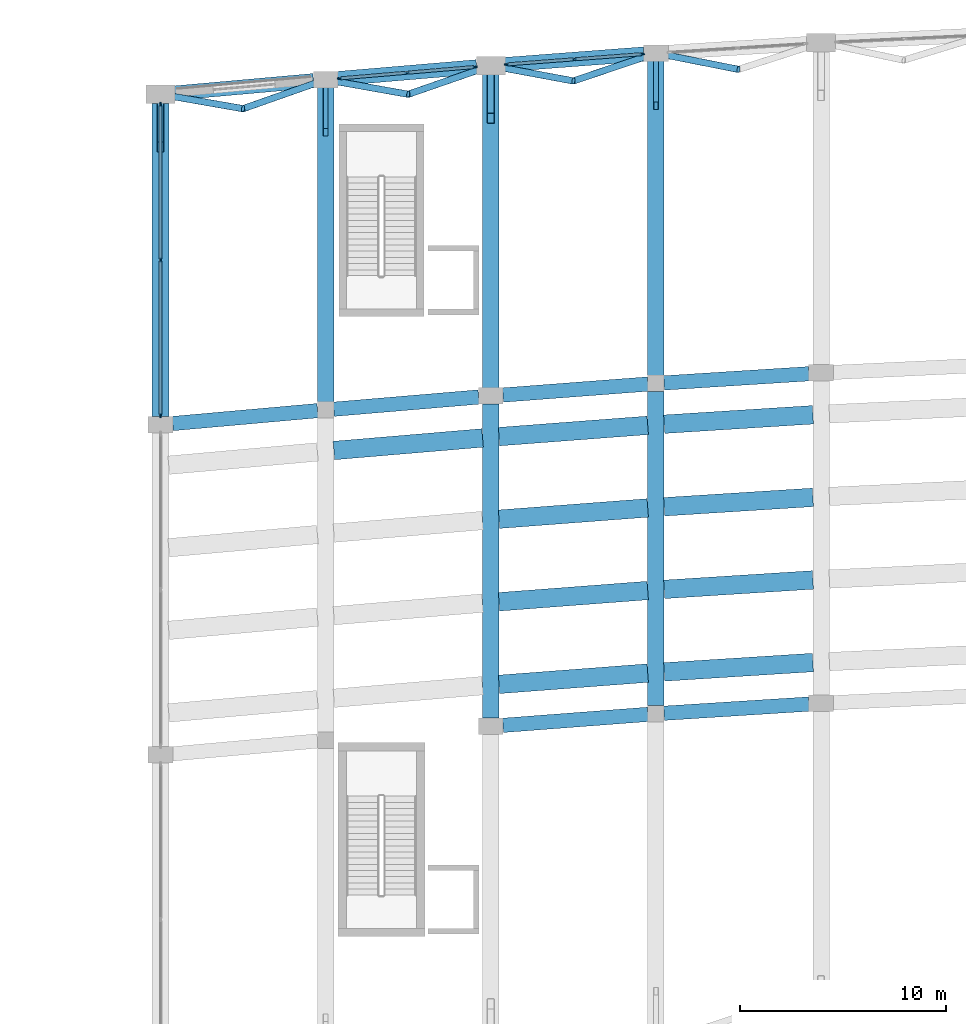
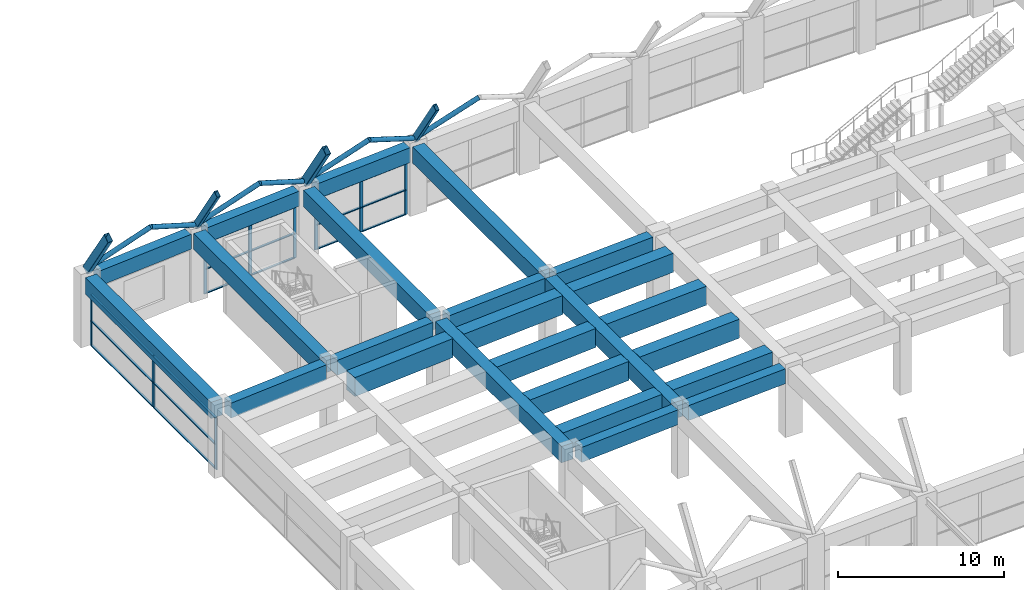
# One storey, part 22 of 69: 34 members, 28 beams, 3 elements without a shape of their own.
"""IFC4 building model written with IfcOpenShell, lengths in metres."""

from ifc_helpers import new_model, si_unit, direction, frame, origin, origin_2d, place, context, subcontext, project, spatial, rectangle, hollow_rectangle, hollow_circle, extrude, material, material_profile, profile_set, type_object, element, aggregate, save


model = new_model("IFC4")

# Units and contexts
model_context = context("Model", 3, precision=1e-05, world=origin(), true_north=direction((0.0, 1.0)))
body_context = subcontext(model_context, "Body", "Model", "MODEL_VIEW")
ifc_project = project(units=[si_unit("LENGTHUNIT", "METRE"), si_unit("AREAUNIT", "SQUARE_METRE"), si_unit("VOLUMEUNIT", "CUBIC_METRE"), si_unit("PLANEANGLEUNIT", "RADIAN"), si_unit("MASSUNIT", "GRAM", prefix="KILO")], contexts=[model_context])

# Site, building, storey
site_placement = place(None, origin())
site = spatial("IfcSite", under=ifc_project, at=site_placement, CompositionType="ELEMENT")
building_placement = place(site_placement, origin())
building = spatial("IfcBuilding", under=site, at=building_placement, Name="Kenh Van Central Station", CompositionType="ELEMENT")
storey_placement = place(building_placement, frame((0.0, 0.0, 5.39990234375)))
storey = spatial("IfcBuildingStorey", under=building, at=storey_placement, Name="L01", CompositionType="ELEMENT", Elevation=5.39990234375)

# Beams
ifc_material_1 = material(Name="Concrete C40/50", Category="concrete")
ifc_material_profile_1 = material_profile(ifc_material_1, rectangle(XDim=0.699951171875, YDim=1.10009765625, at=origin_2d()), Name="RC 700x1100")
ifc_profile_set_1 = profile_set([ifc_material_profile_1], Name="Concrete C40/50")
beam_type_1 = type_object("IfcBeamType", Name="BM-RC-700x1100", PredefinedType="BEAM", material=ifc_profile_set_1)
beam_1_placement = place(storey_placement, frame((48.58837890625, 81.43310546875, 4.530029296875), z_axis=(0.997135285012, 0.075638769056, 0.0), x_axis=(-0.075638769056, 0.997135285012, 0.0)))
element("IfcBeam", 1, at=beam_1_placement, inside=storey, type_object=beam_type_1, Name="L01 viaduct girder 1396", PredefinedType="BEAM", context=body_context, shape_type="SweptSolid", body=[
    extrude(rectangle(XDim=0.699951171875, YDim=1.10009765625, at=origin_2d()), origin(), (0.0, 0.0, 1.0), 7.04296875),
])
beam_2_placement = place(storey_placement, frame((56.38916015625, 82.019775390625, 4.530029296875), z_axis=(0.997999567519, 0.063220750018, 0.0), x_axis=(-0.063220750018, 0.997999567519, 0.0)))
element("IfcBeam", 2, at=beam_2_placement, inside=storey, type_object=beam_type_1, Name="L01 viaduct girder 1397", PredefinedType="BEAM", context=body_context, shape_type="SweptSolid", body=[
    extrude(rectangle(XDim=0.699951171875, YDim=1.10009765625, at=origin_2d()), origin(), (0.0, 0.0, 1.0), 7.0361328125),
])
beam_3_placement = place(storey_placement, frame((32.587646484375, 96.05224609375, 4.530029296875), z_axis=(0.996061437134, 0.088665740024, 0.0), x_axis=(-0.088665740024, 0.996061437134, 0.0)))
element("IfcBeam", 3, at=beam_3_placement, inside=storey, type_object=beam_type_1, Name="L01 viaduct girder 1408", PredefinedType="BEAM", context=body_context, shape_type="SweptSolid", body=[
    extrude(rectangle(XDim=0.699951171875, YDim=1.10009765625, at=origin_2d()), origin(), (0.0, 0.0, 1.0), 7.0517578125),
])
beam_4_placement = place(storey_placement, frame((40.388671875, 96.744873046875, 4.530029296875), z_axis=(0.996445671576, 0.084237898821, 0.0), x_axis=(-0.084237898821, 0.996445671576, 0.0)))
element("IfcBeam", 4, at=beam_4_placement, inside=storey, type_object=beam_type_1, Name="L01 viaduct girder 1409", PredefinedType="BEAM", context=body_context, shape_type="SweptSolid", body=[
    extrude(rectangle(XDim=0.699951171875, YDim=1.10009765625, at=origin_2d()), origin(), (0.0, 0.0, 1.0), 7.048583984375),
])
beam_5_placement = place(storey_placement, frame((48.58837890625, 97.43310546875, 4.530029296875), z_axis=(0.997135285012, 0.075638769056, 0.0), x_axis=(-0.075638769056, 0.997135285012, 0.0)))
element("IfcBeam", 5, at=beam_5_placement, inside=storey, type_object=beam_type_1, Name="L01 viaduct girder 1410", PredefinedType="BEAM", context=body_context, shape_type="SweptSolid", body=[
    extrude(rectangle(XDim=0.699951171875, YDim=1.10009765625, at=origin_2d()), origin(), (0.0, 0.0, 1.0), 7.04296875),
])
beam_6_placement = place(storey_placement, frame((56.38916015625, 98.019775390625, 4.530029296875), z_axis=(0.997999567519, 0.063220750018, 0.0), x_axis=(-0.063220750018, 0.997999567519, 0.0)))
element("IfcBeam", 6, at=beam_6_placement, inside=storey, type_object=beam_type_1, Name="L01 viaduct girder 1411", PredefinedType="BEAM", context=body_context, shape_type="SweptSolid", body=[
    extrude(rectangle(XDim=0.699951171875, YDim=1.10009765625, at=origin_2d()), origin(), (0.0, 0.0, 1.0), 7.0361328125),
])
beam_7_placement = place(storey_placement, frame((32.687255859375, 112.061279296875, 4.530029296875), z_axis=(0.996064770489, 0.088628285503, 0.0), x_axis=(-0.088628285503, 0.996064770489, 0.0)))
element("IfcBeam", 7, at=beam_7_placement, inside=storey, type_object=beam_type_1, Name="L01 viaduct girder 1422", PredefinedType="BEAM", context=body_context, shape_type="SweptSolid", body=[
    extrude(rectangle(XDim=0.699951171875, YDim=1.10009765625, at=origin_2d()), origin(), (0.0, 0.0, 1.0), 6.751708984375),
])
beam_8_placement = place(storey_placement, frame((40.587890625, 112.76171875, 4.530029296875), z_axis=(0.996444229131, 0.084254959688, 0.0), x_axis=(-0.084254959688, 0.996444229131, 0.0)))
element("IfcBeam", 8, at=beam_8_placement, inside=storey, type_object=beam_type_1, Name="L01 viaduct girder 1423", PredefinedType="BEAM", context=body_context, shape_type="SweptSolid", body=[
    extrude(rectangle(XDim=0.699951171875, YDim=1.10009765625, at=origin_2d()), origin(), (0.0, 0.0, 1.0), 6.74853515625),
])
beam_9_placement = place(storey_placement, frame((48.68798828125, 113.440673828125, 4.530029296875), z_axis=(0.997135493389, 0.075636021993, 0.0), x_axis=(-0.075636021993, 0.997135493389, 0.0)))
element("IfcBeam", 9, at=beam_9_placement, inside=storey, type_object=beam_type_1, Name="L01 viaduct girder 1424", PredefinedType="BEAM", context=body_context, shape_type="SweptSolid", body=[
    extrude(rectangle(XDim=0.699951171875, YDim=1.10009765625, at=origin_2d()), origin(), (0.0, 0.0, 1.0), 6.742919921875),
])
ifc_material_profile_2 = material_profile(ifc_material_1, rectangle(XDim=0.800048828125, YDim=1.199951171875, at=origin_2d()), Name="RC 800x1200")
ifc_profile_set_2 = profile_set([ifc_material_profile_2], Name="Concrete C40/50")
beam_type_2 = type_object("IfcBeamType", Name="BM-TRK-800x1200", PredefinedType="BEAM", material=ifc_profile_set_2)
beam_10_placement = place(storey_placement, frame((32.0, 96.389892578125, 4.47998046875), z_axis=(0.0, 1.0, 0.0), x_axis=(-1.0, 0.0, 0.0)))
element("IfcBeam", 10, at=beam_10_placement, inside=storey, type_object=beam_type_2, Name="L01 viaduct cross-girder 1438", PredefinedType="BEAM", context=body_context, shape_type="SweptSolid", body=[
    extrude(rectangle(XDim=0.800048828125, YDim=1.199951171875, at=origin_2d()), origin(), (0.0, 0.0, 1.0), 15.170166015625),
])
for number, where, z_axis, x_axis, name in (
    (11, (40.0, 97.10205078125, 4.47998046875), (0.0, 1.0, 0.0), (-1.0, 0.0, 0.0), "L01 viaduct cross-girder 1441"),
    (12, (48.0, 81.7783203125, 4.47998046875), (0.0, 1.0, 0.0), (-1.0, 0.0, 0.0), "L01 viaduct cross-girder 1443"),
):
    element("IfcBeam", number, at=place(storey_placement, frame(where, z_axis=z_axis, x_axis=x_axis)), inside=storey, type_object=beam_type_2, Name=name, PredefinedType="BEAM", context=body_context, shape_type="SweptSolid", body=[
        extrude(rectangle(XDim=0.800048828125, YDim=1.199951171875, at=origin_2d()), origin(), (0.0, 0.0, 1.0), 15.219970703125),
    ])
beam_11_placement = place(storey_placement, frame((48.0, 97.7783203125, 4.47998046875), z_axis=(0.0, 1.0, 0.0), x_axis=(-1.0, 0.0, 0.0)))
element("IfcBeam", 13, at=beam_11_placement, inside=storey, type_object=beam_type_2, Name="L01 viaduct cross-girder 1444", PredefinedType="BEAM", context=body_context, shape_type="SweptSolid", body=[
    extrude(rectangle(XDim=0.800048828125, YDim=1.199951171875, at=origin_2d()), origin(), (0.0, 0.0, 1.0), 15.170166015625),
])
for number, where, z_axis, x_axis, name in (
    (14, (56.0, 82.38525390625, 4.47998046875), (0.0, 1.0, 0.0), (-1.0, 0.0, 0.0), "L01 viaduct cross-girder 1446"),
    (15, (56.0, 98.38525390625, 4.47998046875), (0.0, 1.0, 0.0), (-1.0, 0.0, 0.0), "L01 viaduct cross-girder 1447"),
):
    element("IfcBeam", number, at=place(storey_placement, frame(where, z_axis=z_axis, x_axis=x_axis)), inside=storey, type_object=beam_type_2, Name=name, PredefinedType="BEAM", context=body_context, shape_type="SweptSolid", body=[
        extrude(rectangle(XDim=0.800048828125, YDim=1.199951171875, at=origin_2d()), origin(), (0.0, 0.0, 1.0), 15.219970703125),
    ])
ifc_material_profile_3 = material_profile(ifc_material_1, rectangle(XDim=0.89990234375, YDim=1.39990234375, at=origin_2d()), Name="RC 900x1400")
ifc_profile_set_3 = profile_set([ifc_material_profile_3], Name="Concrete C40/50")
beam_type_3 = type_object("IfcBeamType", Name="BM-TRK-900x1400", PredefinedType="BEAM", material=ifc_profile_set_3)
beam_12_placement = place(storey_placement, frame((48.39892578125, 83.418701171875, 4.380126953125), z_axis=(0.997137207457, 0.07561342146, 0.0), x_axis=(-0.07561342146, 0.997137207457, 0.0)))
element("IfcBeam", 16, at=beam_12_placement, inside=storey, type_object=beam_type_3, Name="Track 1 trough girder 1477", PredefinedType="BEAM", context=body_context, shape_type="SweptSolid", body=[
    extrude(rectangle(XDim=0.89990234375, YDim=1.39990234375, at=origin_2d()), origin(), (0.0, 0.0, 1.0), 7.222900390625),
])
beam_13_placement = place(storey_placement, frame((56.399169921875, 84.0205078125, 4.380126953125), z_axis=(0.998000898768, 0.06319973147, 0.0), x_axis=(-0.06319973147, 0.998000898768, 0.0)))
element("IfcBeam", 17, at=beam_13_placement, inside=storey, type_object=beam_type_3, Name="Track 1 trough girder 1478", PredefinedType="BEAM", context=body_context, shape_type="SweptSolid", body=[
    extrude(rectangle(XDim=0.89990234375, YDim=1.39990234375, at=origin_2d()), origin(), (0.0, 0.0, 1.0), 7.216064453125),
])
beam_14_placement = place(storey_placement, frame((48.39892578125, 87.418701171875, 4.380126953125), z_axis=(0.997137207457, 0.07561342146, 0.0), x_axis=(-0.07561342146, 0.997137207457, 0.0)))
element("IfcBeam", 18, at=beam_14_placement, inside=storey, type_object=beam_type_3, Name="Track 2 trough girder 1491", PredefinedType="BEAM", context=body_context, shape_type="SweptSolid", body=[
    extrude(rectangle(XDim=0.89990234375, YDim=1.39990234375, at=origin_2d()), origin(), (0.0, 0.0, 1.0), 7.222900390625),
])
beam_15_placement = place(storey_placement, frame((56.399169921875, 88.0205078125, 4.380126953125), z_axis=(0.998000898768, 0.06319973147, 0.0), x_axis=(-0.06319973147, 0.998000898768, 0.0)))
element("IfcBeam", 19, at=beam_15_placement, inside=storey, type_object=beam_type_3, Name="Track 2 trough girder 1492", PredefinedType="BEAM", context=body_context, shape_type="SweptSolid", body=[
    extrude(rectangle(XDim=0.89990234375, YDim=1.39990234375, at=origin_2d()), origin(), (0.0, 0.0, 1.0), 7.216064453125),
])
beam_16_placement = place(storey_placement, frame((48.39892578125, 91.418701171875, 4.380126953125), z_axis=(0.997137207457, 0.07561342146, 0.0), x_axis=(-0.07561342146, 0.997137207457, 0.0)))
element("IfcBeam", 20, at=beam_16_placement, inside=storey, type_object=beam_type_3, Name="Track 3 trough girder 1505", PredefinedType="BEAM", context=body_context, shape_type="SweptSolid", body=[
    extrude(rectangle(XDim=0.89990234375, YDim=1.39990234375, at=origin_2d()), origin(), (0.0, 0.0, 1.0), 7.222900390625),
])
beam_17_placement = place(storey_placement, frame((56.399169921875, 92.0205078125, 4.380126953125), z_axis=(0.998000898768, 0.06319973147, 0.0), x_axis=(-0.06319973147, 0.998000898768, 0.0)))
element("IfcBeam", 21, at=beam_17_placement, inside=storey, type_object=beam_type_3, Name="Track 3 trough girder 1506", PredefinedType="BEAM", context=body_context, shape_type="SweptSolid", body=[
    extrude(rectangle(XDim=0.89990234375, YDim=1.39990234375, at=origin_2d()), origin(), (0.0, 0.0, 1.0), 7.216064453125),
])
beam_18_placement = place(storey_placement, frame((40.398681640625, 94.745849609375, 4.380126953125), z_axis=(0.996445816639, 0.084236182859, 0.0), x_axis=(-0.084236182859, 0.996445816639, 0.0)))
element("IfcBeam", 22, at=beam_18_placement, inside=storey, type_object=beam_type_3, Name="Track 4 trough girder 1518", PredefinedType="BEAM", context=body_context, shape_type="SweptSolid", body=[
    extrude(rectangle(XDim=0.89990234375, YDim=1.39990234375, at=origin_2d()), origin(), (0.0, 0.0, 1.0), 7.228271484375),
])
beam_19_placement = place(storey_placement, frame((48.39892578125, 95.418701171875, 4.380126953125), z_axis=(0.997137207457, 0.07561342146, 0.0), x_axis=(-0.07561342146, 0.997137207457, 0.0)))
element("IfcBeam", 23, at=beam_19_placement, inside=storey, type_object=beam_type_3, Name="Track 4 trough girder 1519", PredefinedType="BEAM", context=body_context, shape_type="SweptSolid", body=[
    extrude(rectangle(XDim=0.89990234375, YDim=1.39990234375, at=origin_2d()), origin(), (0.0, 0.0, 1.0), 7.222900390625),
])
beam_20_placement = place(storey_placement, frame((56.399169921875, 96.0205078125, 4.380126953125), z_axis=(0.998000898768, 0.06319973147, 0.0), x_axis=(-0.06319973147, 0.998000898768, 0.0)))
element("IfcBeam", 24, at=beam_20_placement, inside=storey, type_object=beam_type_3, Name="Track 4 trough girder 1520", PredefinedType="BEAM", context=body_context, shape_type="SweptSolid", body=[
    extrude(rectangle(XDim=0.89990234375, YDim=1.39990234375, at=origin_2d()), origin(), (0.0, 0.0, 1.0), 7.216064453125),
])
ifc_material_2 = material(Name="White fluoropolymer structural steel S355", Category="steel")
ifc_material_profile_4 = material_profile(ifc_material_2, hollow_rectangle(XDim=0.35009765625, YDim=0.60009765625, WallThickness=0.01611328125, InnerFilletRadius=0.01611328125, OuterFilletRadius=0.031982421875, at=origin_2d()), Name="RHS 600x350x16")
ifc_profile_set_4 = profile_set([ifc_material_profile_4], Name="White fluoropolymer structural steel S355")
beam_type_4 = type_object("IfcBeamType", Name="BM-VAULT-ARCH600", PredefinedType="BEAM", material=ifc_profile_set_4)
for number, where, z_axis, x_axis, name in (
    (25, (32.0, 109.447509765625, 9.161865234375), (0.0, 0.549413802018, -0.835550401922), (-1.0, 0.0, 0.0), "Vault transverse arch 012"),
    (26, (48.0, 110.8359375, 9.161865234375), (0.0, 0.549413802018, -0.835550401922), (-1.0, 0.0, 0.0), "Vault transverse arch 036"),
):
    element("IfcBeam", number, at=place(storey_placement, frame(where, z_axis=z_axis, x_axis=x_axis)), inside=storey, type_object=beam_type_4, Name=name, PredefinedType="BEAM", context=body_context, shape_type="SweptSolid", body=[
        extrude(hollow_rectangle(XDim=0.35009765625, YDim=0.60009765625, WallThickness=0.01611328125, InnerFilletRadius=0.01611328125, OuterFilletRadius=0.031982421875, at=origin_2d()), origin(), (0.0, 0.0, 1.0), 4.645751953125),
    ])
ifc_material_profile_5 = material_profile(ifc_material_2, hollow_rectangle(XDim=0.25, YDim=0.449951171875, WallThickness=0.012451171875, InnerFilletRadius=0.012451171875, OuterFilletRadius=0.02490234375, at=origin_2d()), Name="RHS 450x250x12.5")
ifc_profile_set_5 = profile_set([ifc_material_profile_5], Name="White fluoropolymer structural steel S355")
beam_type_5 = type_object("IfcBeamType", Name="BM-VAULT-SUB450", PredefinedType="BEAM", material=ifc_profile_set_5)
for number, where, z_axis, x_axis, name in (
    (27, (40.0, 110.15966796875, 9.161865234375), (0.0, 0.549413802018, -0.835550401922), (-1.0, 0.0, 0.0), "Vault transverse arch 024"),
    (28, (56.0, 111.44287109375, 9.161865234375), (0.0, 0.5493771127, -0.835574525725), (-1.0, 0.0, 0.0), "Vault transverse arch 048"),
):
    element("IfcBeam", number, at=place(storey_placement, frame(where, z_axis=z_axis, x_axis=x_axis)), inside=storey, type_object=beam_type_5, Name=name, PredefinedType="BEAM", context=body_context, shape_type="SweptSolid", body=[
        extrude(hollow_rectangle(XDim=0.25, YDim=0.449951171875, WallThickness=0.012451171875, InnerFilletRadius=0.012451171875, OuterFilletRadius=0.02490234375, at=origin_2d()), origin(), (0.0, 0.0, 1.0), 4.645751953125),
    ])

# Curtain wall, members
ifc_material_3 = material(Name="Champagne anodised aluminium", Category="aluminium")
curtain_wall_type_1 = type_object("IfcCurtainWallType", Name="CW-HALL-A", PredefinedType="NOTDEFINED", material=ifc_material_3)
curtain_wall_1_placement = place(storey_placement, origin())
curtain_wall_1 = element("IfcCurtainWall", 29, at=curtain_wall_1_placement, inside=storey, type_object=curtain_wall_type_1, Name="L01 curtain wall 099", PredefinedType="NOTDEFINED")
ifc_material_profile_6 = material_profile(ifc_material_3, rectangle(XDim=0.08203125, YDim=0.22509765625, at=origin_2d()), Name="AL 82x225")
ifc_profile_set_6 = profile_set([ifc_material_profile_6], Name="Champagne anodised aluminium")
member_type_1 = type_object("IfcMemberType", Name="CWM-70x180", PredefinedType="MULLION", material=ifc_profile_set_6)
member_1_placement = place(storey_placement, frame((32.0, 96.44091796875, 0.0), z_axis=(0.0, 0.0, 1.0), x_axis=(-1.0, 0.0, 0.0)))
member_1 = element("IfcMember", 30, at=member_1_placement, type_object=member_type_1, Name="CW-01 mullion 1", PredefinedType="MULLION", context=body_context, shape_type="SweptSolid", body=[
    extrude(rectangle(XDim=0.08203125, YDim=0.22509765625, at=origin_2d()), origin(), (0.0, 0.0, 1.0), 3.800048828125),
])
member_2_placement = place(storey_placement, frame((32.0, 103.97509765625, 0.0), z_axis=(0.0, 0.0, 1.0), x_axis=(-1.0, 0.0, 0.0)))
member_2 = element("IfcMember", 31, at=member_2_placement, type_object=member_type_1, Name="CW-01 mullion 2", PredefinedType="MULLION", context=body_context, shape_type="SweptSolid", body=[
    extrude(rectangle(XDim=0.08203125, YDim=0.22509765625, at=origin_2d()), origin(), (0.0, 0.0, 1.0), 3.800048828125),
])
member_3_placement = place(storey_placement, frame((32.0, 111.509033203125, 0.0), z_axis=(0.0, 0.0, 1.0), x_axis=(-1.0, 0.0, 0.0)))
member_3 = element("IfcMember", 32, at=member_3_placement, type_object=member_type_1, Name="CW-01 mullion 3", PredefinedType="MULLION", context=body_context, shape_type="SweptSolid", body=[
    extrude(rectangle(XDim=0.08203125, YDim=0.22509765625, at=origin_2d()), origin(), (0.0, 0.0, 1.0), 3.800048828125),
])

curtain_wall_type_2 = type_object("IfcCurtainWallType", Name="CW-HALL-B", PredefinedType="NOTDEFINED", material=ifc_material_3)
curtain_wall_2_placement = place(storey_placement, origin())
curtain_wall_2 = element("IfcCurtainWall", 33, at=curtain_wall_2_placement, inside=storey, type_object=curtain_wall_type_2, Name="L01 curtain wall 078", PredefinedType="NOTDEFINED")
ifc_material_profile_7 = material_profile(ifc_material_3, rectangle(XDim=0.080078125, YDim=0.219970703125, at=origin_2d()), Name="AL 80x220")
ifc_profile_set_7 = profile_set([ifc_material_profile_7], Name="Champagne anodised aluminium")
member_type_2 = type_object("IfcMemberType", Name="CWM-80x220", PredefinedType="MULLION", material=ifc_profile_set_7)
member_4_placement = place(storey_placement, frame((47.227294921875, 113.3232421875, 0.0), z_axis=(0.0, 0.0, 1.0), x_axis=(0.084244265333, -0.996445133341, 0.0)))
member_4 = element("IfcMember", 34, at=member_4_placement, type_object=member_type_2, Name="CW-02 mullion 1", PredefinedType="MULLION", context=body_context, shape_type="SweptSolid", body=[
    extrude(rectangle(XDim=0.080078125, YDim=0.219970703125, at=origin_2d()), origin(), (0.0, 0.0, 1.0), 3.800048828125),
])
member_5_placement = place(storey_placement, frame((43.9482421875, 113.0458984375, 0.0), z_axis=(0.0, 0.0, 1.0), x_axis=(0.084244265333, -0.996445133341, 0.0)))
member_5 = element("IfcMember", 35, at=member_5_placement, type_object=member_type_2, Name="CW-02 mullion 2", PredefinedType="MULLION", context=body_context, shape_type="SweptSolid", body=[
    extrude(rectangle(XDim=0.080078125, YDim=0.219970703125, at=origin_2d()), origin(), (0.0, 0.0, 1.0), 3.800048828125),
])
member_6_placement = place(storey_placement, frame((40.669189453125, 112.7685546875, 0.0), z_axis=(0.0, 0.0, 1.0), x_axis=(0.084244265333, -0.996445133341, 0.0)))
member_6 = element("IfcMember", 36, at=member_6_placement, type_object=member_type_2, Name="CW-02 mullion 3", PredefinedType="MULLION", context=body_context, shape_type="SweptSolid", body=[
    extrude(rectangle(XDim=0.080078125, YDim=0.219970703125, at=origin_2d()), origin(), (0.0, 0.0, 1.0), 3.800048828125),
])

curtain_wall_3_placement = place(storey_placement, origin())
curtain_wall_3 = element("IfcCurtainWall", 37, at=curtain_wall_3_placement, inside=storey, type_object=curtain_wall_type_2, Name="L01 curtain wall 080", PredefinedType="NOTDEFINED")
member_7_placement = place(storey_placement, frame((55.33349609375, 113.944580078125, 0.0), z_axis=(0.0, 0.0, 1.0), x_axis=(0.075632463968, -0.997135763271, 0.0)))
member_7 = element("IfcMember", 38, at=member_7_placement, type_object=member_type_2, Name="CW-02 mullion 1", PredefinedType="MULLION", context=body_context, shape_type="SweptSolid", body=[
    extrude(rectangle(XDim=0.080078125, YDim=0.219970703125, at=origin_2d()), origin(), (0.0, 0.0, 1.0), 3.800048828125),
])
member_8_placement = place(storey_placement, frame((52.051513671875, 113.69580078125, 0.0), z_axis=(0.0, 0.0, 1.0), x_axis=(0.075632463968, -0.997135763271, 0.0)))
member_8 = element("IfcMember", 39, at=member_8_placement, type_object=member_type_2, Name="CW-02 mullion 2", PredefinedType="MULLION", context=body_context, shape_type="SweptSolid", body=[
    extrude(rectangle(XDim=0.080078125, YDim=0.219970703125, at=origin_2d()), origin(), (0.0, 0.0, 1.0), 3.800048828125),
])
member_9_placement = place(storey_placement, frame((48.769775390625, 113.44677734375, 0.0), z_axis=(0.0, 0.0, 1.0), x_axis=(0.075632463968, -0.997135763271, 0.0)))
member_9 = element("IfcMember", 40, at=member_9_placement, type_object=member_type_2, Name="CW-02 mullion 3", PredefinedType="MULLION", context=body_context, shape_type="SweptSolid", body=[
    extrude(rectangle(XDim=0.080078125, YDim=0.219970703125, at=origin_2d()), origin(), (0.0, 0.0, 1.0), 3.800048828125),
])

# Member
ifc_material_profile_8 = material_profile(ifc_material_3, rectangle(XDim=0.14990234375, YDim=0.070068359375, at=origin_2d()), Name="AL 150x70")
ifc_profile_set_8 = profile_set([ifc_material_profile_8], Name="Champagne anodised aluminium")
member_type_3 = type_object("IfcMemberType", Name="CWT-150x70", PredefinedType="USERDEFINED", material=ifc_profile_set_8)
member_10_placement = place(storey_placement, frame((47.1875, 113.31982421875, 0.03515625), z_axis=(-0.996444876406, -0.084247304316, 0.0), x_axis=(0.084247304316, -0.996444876406, 0.0)))
member_10 = element("IfcMember", 41, at=member_10_placement, type_object=member_type_3, Name="CW-02 transom 1.1", ObjectType="TRANSOM", PredefinedType="USERDEFINED", context=body_context, shape_type="SweptSolid", body=[
    extrude(rectangle(XDim=0.14990234375, YDim=0.070068359375, at=origin_2d()), origin(), (0.0, 0.0, 1.0), 3.2109375),
])

member_11_placement = place(storey_placement, frame((47.1875, 113.31982421875, 1.82421875), z_axis=(-0.996444876406, -0.084247304316, 0.0), x_axis=(0.084247304316, -0.996444876406, 0.0)))
member_11 = element("IfcMember", 42, at=member_11_placement, type_object=member_type_3, Name="CW-02 transom 1.2", ObjectType="TRANSOM", PredefinedType="USERDEFINED", context=body_context, shape_type="SweptSolid", body=[
    extrude(rectangle(XDim=0.14990234375, YDim=0.070068359375, at=origin_2d()), origin(), (0.0, 0.0, 1.0), 3.2109375),
])

member_12_placement = place(storey_placement, frame((47.1875, 113.31982421875, 3.76513671875), z_axis=(-0.996444876406, -0.084247304316, 0.0), x_axis=(0.084247304316, -0.996444876406, 0.0)))
member_12 = element("IfcMember", 43, at=member_12_placement, type_object=member_type_3, Name="CW-02 transom 1.3", ObjectType="TRANSOM", PredefinedType="USERDEFINED", context=body_context, shape_type="SweptSolid", body=[
    extrude(rectangle(XDim=0.14990234375, YDim=0.070068359375, at=origin_2d()), origin(), (0.0, 0.0, 1.0), 3.2109375),
])

member_13_placement = place(storey_placement, frame((43.908447265625, 113.04248046875, 0.03515625), z_axis=(-0.996444876406, -0.084247304316, 0.0), x_axis=(0.084247304316, -0.996444876406, 0.0)))
member_13 = element("IfcMember", 44, at=member_13_placement, type_object=member_type_3, Name="CW-02 transom 2.1", ObjectType="TRANSOM", PredefinedType="USERDEFINED", context=body_context, shape_type="SweptSolid", body=[
    extrude(rectangle(XDim=0.14990234375, YDim=0.070068359375, at=origin_2d()), origin(), (0.0, 0.0, 1.0), 3.2109375),
])

member_14_placement = place(storey_placement, frame((43.908447265625, 113.04248046875, 1.82421875), z_axis=(-0.996444876406, -0.084247304316, 0.0), x_axis=(0.084247304316, -0.996444876406, 0.0)))
member_14 = element("IfcMember", 45, at=member_14_placement, type_object=member_type_3, Name="CW-02 transom 2.2", ObjectType="TRANSOM", PredefinedType="USERDEFINED", context=body_context, shape_type="SweptSolid", body=[
    extrude(rectangle(XDim=0.14990234375, YDim=0.070068359375, at=origin_2d()), origin(), (0.0, 0.0, 1.0), 3.2109375),
])

member_15_placement = place(storey_placement, frame((43.908447265625, 113.04248046875, 3.76513671875), z_axis=(-0.996444876406, -0.084247304316, 0.0), x_axis=(0.084247304316, -0.996444876406, 0.0)))
member_15 = element("IfcMember", 46, at=member_15_placement, type_object=member_type_3, Name="CW-02 transom 2.3", ObjectType="TRANSOM", PredefinedType="USERDEFINED", context=body_context, shape_type="SweptSolid", body=[
    extrude(rectangle(XDim=0.14990234375, YDim=0.070068359375, at=origin_2d()), origin(), (0.0, 0.0, 1.0), 3.2109375),
])

aggregate(curtain_wall_2, [member_4, member_5, member_6, member_10, member_11, member_12, member_13, member_14, member_15])

member_16_placement = place(storey_placement, frame((55.29345703125, 113.941650390625, 0.03515625), z_axis=(-0.997134438702, -0.07564992501, 0.0), x_axis=(0.07564992501, -0.997134438702, 0.0)))
member_16 = element("IfcMember", 47, at=member_16_placement, type_object=member_type_3, Name="CW-02 transom 1.1", ObjectType="TRANSOM", PredefinedType="USERDEFINED", context=body_context, shape_type="SweptSolid", body=[
    extrude(rectangle(XDim=0.14990234375, YDim=0.070068359375, at=origin_2d()), origin(), (0.0, 0.0, 1.0), 3.211181640625),
])

member_17_placement = place(storey_placement, frame((55.29345703125, 113.941650390625, 1.82421875), z_axis=(-0.997134438702, -0.07564992501, 0.0), x_axis=(0.07564992501, -0.997134438702, 0.0)))
member_17 = element("IfcMember", 48, at=member_17_placement, type_object=member_type_3, Name="CW-02 transom 1.2", ObjectType="TRANSOM", PredefinedType="USERDEFINED", context=body_context, shape_type="SweptSolid", body=[
    extrude(rectangle(XDim=0.14990234375, YDim=0.070068359375, at=origin_2d()), origin(), (0.0, 0.0, 1.0), 3.211181640625),
])

member_18_placement = place(storey_placement, frame((55.29345703125, 113.941650390625, 3.76513671875), z_axis=(-0.997134438702, -0.07564992501, 0.0), x_axis=(0.07564992501, -0.997134438702, 0.0)))
member_18 = element("IfcMember", 49, at=member_18_placement, type_object=member_type_3, Name="CW-02 transom 1.3", ObjectType="TRANSOM", PredefinedType="USERDEFINED", context=body_context, shape_type="SweptSolid", body=[
    extrude(rectangle(XDim=0.14990234375, YDim=0.070068359375, at=origin_2d()), origin(), (0.0, 0.0, 1.0), 3.211181640625),
])

member_19_placement = place(storey_placement, frame((52.01171875, 113.692626953125, 0.03515625), z_axis=(-0.997140605255, -0.075568600307, 0.0), x_axis=(0.075568600307, -0.997140605255, 0.0)))
member_19 = element("IfcMember", 50, at=member_19_placement, type_object=member_type_3, Name="CW-02 transom 2.1", ObjectType="TRANSOM", PredefinedType="USERDEFINED", context=body_context, shape_type="SweptSolid", body=[
    extrude(rectangle(XDim=0.14990234375, YDim=0.070068359375, at=origin_2d()), origin(), (0.0, 0.0, 1.0), 3.21142578125),
])

member_20_placement = place(storey_placement, frame((52.01171875, 113.692626953125, 1.82421875), z_axis=(-0.997140605255, -0.075568600307, 0.0), x_axis=(0.075568600307, -0.997140605255, 0.0)))
member_20 = element("IfcMember", 51, at=member_20_placement, type_object=member_type_3, Name="CW-02 transom 2.2", ObjectType="TRANSOM", PredefinedType="USERDEFINED", context=body_context, shape_type="SweptSolid", body=[
    extrude(rectangle(XDim=0.14990234375, YDim=0.070068359375, at=origin_2d()), origin(), (0.0, 0.0, 1.0), 3.21142578125),
])

member_21_placement = place(storey_placement, frame((52.01171875, 113.692626953125, 3.76513671875), z_axis=(-0.997140605255, -0.075568600307, 0.0), x_axis=(0.075568600307, -0.997140605255, 0.0)))
member_21 = element("IfcMember", 52, at=member_21_placement, type_object=member_type_3, Name="CW-02 transom 2.3", ObjectType="TRANSOM", PredefinedType="USERDEFINED", context=body_context, shape_type="SweptSolid", body=[
    extrude(rectangle(XDim=0.14990234375, YDim=0.070068359375, at=origin_2d()), origin(), (0.0, 0.0, 1.0), 3.21142578125),
])

aggregate(curtain_wall_3, [member_7, member_8, member_9, member_16, member_17, member_18, member_19, member_20, member_21])

member_22_placement = place(storey_placement, frame((32.0, 96.48193359375, 0.03515625), z_axis=(0.0, 1.0, 0.0), x_axis=(-1.0, 0.0, 0.0)))
member_22 = element("IfcMember", 53, at=member_22_placement, type_object=member_type_3, Name="CW-01 transom 1.1", ObjectType="TRANSOM", PredefinedType="USERDEFINED", context=body_context, shape_type="SweptSolid", body=[
    extrude(rectangle(XDim=0.14990234375, YDim=0.070068359375, at=origin_2d()), origin(), (0.0, 0.0, 1.0), 7.4521484375),
])

member_23_placement = place(storey_placement, frame((32.0, 96.48193359375, 1.82421875), z_axis=(0.0, 1.0, 0.0), x_axis=(-1.0, 0.0, 0.0)))
member_23 = element("IfcMember", 54, at=member_23_placement, type_object=member_type_3, Name="CW-01 transom 1.2", ObjectType="TRANSOM", PredefinedType="USERDEFINED", context=body_context, shape_type="SweptSolid", body=[
    extrude(rectangle(XDim=0.14990234375, YDim=0.070068359375, at=origin_2d()), origin(), (0.0, 0.0, 1.0), 7.4521484375),
])

member_24_placement = place(storey_placement, frame((32.0, 96.48193359375, 3.76513671875), z_axis=(0.0, 1.0, 0.0), x_axis=(-1.0, 0.0, 0.0)))
member_24 = element("IfcMember", 55, at=member_24_placement, type_object=member_type_3, Name="CW-01 transom 1.3", ObjectType="TRANSOM", PredefinedType="USERDEFINED", context=body_context, shape_type="SweptSolid", body=[
    extrude(rectangle(XDim=0.14990234375, YDim=0.070068359375, at=origin_2d()), origin(), (0.0, 0.0, 1.0), 7.4521484375),
])

member_25_placement = place(storey_placement, frame((32.0, 104.01611328125, 0.03515625), z_axis=(0.0, 1.0, 0.0), x_axis=(-1.0, 0.0, 0.0)))
member_25 = element("IfcMember", 56, at=member_25_placement, type_object=member_type_3, Name="CW-01 transom 2.1", ObjectType="TRANSOM", PredefinedType="USERDEFINED", context=body_context, shape_type="SweptSolid", body=[
    extrude(rectangle(XDim=0.14990234375, YDim=0.070068359375, at=origin_2d()), origin(), (0.0, 0.0, 1.0), 7.451904296875),
])

member_26_placement = place(storey_placement, frame((32.0, 104.01611328125, 1.82421875), z_axis=(0.0, 1.0, 0.0), x_axis=(-1.0, 0.0, 0.0)))
member_26 = element("IfcMember", 57, at=member_26_placement, type_object=member_type_3, Name="CW-01 transom 2.2", ObjectType="TRANSOM", PredefinedType="USERDEFINED", context=body_context, shape_type="SweptSolid", body=[
    extrude(rectangle(XDim=0.14990234375, YDim=0.070068359375, at=origin_2d()), origin(), (0.0, 0.0, 1.0), 7.451904296875),
])

member_27_placement = place(storey_placement, frame((32.0, 104.01611328125, 3.76513671875), z_axis=(0.0, 1.0, 0.0), x_axis=(-1.0, 0.0, 0.0)))
member_27 = element("IfcMember", 58, at=member_27_placement, type_object=member_type_3, Name="CW-01 transom 2.3", ObjectType="TRANSOM", PredefinedType="USERDEFINED", context=body_context, shape_type="SweptSolid", body=[
    extrude(rectangle(XDim=0.14990234375, YDim=0.070068359375, at=origin_2d()), origin(), (0.0, 0.0, 1.0), 7.451904296875),
])

aggregate(curtain_wall_1, [member_1, member_2, member_3, member_22, member_23, member_24, member_25, member_26, member_27])

# Members
ifc_material_profile_9 = material_profile(ifc_material_2, hollow_circle(Radius=0.161865234375, WallThickness=0.010009765625, at=origin_2d()), Name="CHS 323.9x10")
ifc_profile_set_9 = profile_set([ifc_material_profile_9], Name="White fluoropolymer structural steel S355")
member_type_4 = type_object("IfcMemberType", Name="MEM-VAULT-CHD324", PredefinedType="CHORD", material=ifc_profile_set_9)
member_28_placement = place(storey_placement, frame((32.0, 112.0, 5.340087890625), z_axis=(0.876036734952, -0.15270757538, 0.457427628632), x_axis=(0.17172686635, 0.985144600236, 0.0)))
element("IfcMember", 59, at=member_28_placement, inside=storey, type_object=member_type_4, Name="Vault diamond grid member 0024", PredefinedType="CHORD", context=body_context, shape_type="SweptSolid", body=[
    extrude(hollow_circle(Radius=0.161865234375, WallThickness=0.010009765625, at=origin_2d()), origin(), (0.0, 0.0, 1.0), 4.56591796875),
])
member_29_placement = place(storey_placement, frame((36.0, 111.302734375, 7.4287109375), z_axis=(0.846121392378, 0.298135912976, -0.441807160144), x_axis=(-0.332329254992, 0.943163435613, 0.0)))
element("IfcMember", 60, at=member_29_placement, inside=storey, type_object=member_type_4, Name="Vault diamond grid member 0047", PredefinedType="CHORD", context=body_context, shape_type="SweptSolid", body=[
    extrude(hollow_circle(Radius=0.161865234375, WallThickness=0.010009765625, at=origin_2d()), origin(), (0.0, 0.0, 1.0), 4.7275390625),
])
member_30_placement = place(storey_placement, frame((40.0, 112.712158203125, 5.340087890625), z_axis=(0.875632522493, -0.155629999115, 0.457216566768), x_axis=(0.174991910694, 0.984569871158, 0.0)))
element("IfcMember", 61, at=member_30_placement, inside=storey, type_object=member_type_4, Name="Vault diamond grid member 0072", PredefinedType="CHORD", context=body_context, shape_type="SweptSolid", body=[
    extrude(hollow_circle(Radius=0.161865234375, WallThickness=0.010009765625, at=origin_2d()), origin(), (0.0, 0.0, 1.0), 4.568115234375),
])
member_31_placement = place(storey_placement, frame((44.0, 112.001220703125, 7.4287109375), z_axis=(0.847300005667, 0.29384513136, -0.442422579863), x_axis=(-0.327657153644, 0.944796692239, 0.0)))
element("IfcMember", 62, at=member_31_placement, inside=storey, type_object=member_type_4, Name="Vault diamond grid member 0095", PredefinedType="CHORD", context=body_context, shape_type="SweptSolid", body=[
    extrude(hollow_circle(Radius=0.161865234375, WallThickness=0.010009765625, at=origin_2d()), origin(), (0.0, 0.0, 1.0), 4.720947265625),
])
member_32_placement = place(storey_placement, frame((48.0, 113.388427734375, 5.340087890625), z_axis=(0.874704072335, -0.162138444072, 0.456731771168), x_axis=(0.182259028571, 0.983250551235, 0.0)))
element("IfcMember", 63, at=member_32_placement, inside=storey, type_object=member_type_4, Name="Vault diamond grid member 0120", PredefinedType="CHORD", context=body_context, shape_type="SweptSolid", body=[
    extrude(hollow_circle(Radius=0.161865234375, WallThickness=0.010009765625, at=origin_2d()), origin(), (0.0, 0.0, 1.0), 4.572998046875),
])
member_33_placement = place(storey_placement, frame((52.0, 112.64697265625, 7.4287109375), z_axis=(0.849338454857, 0.286257748274, -0.443486967853), x_axis=(-0.319383994056, 0.947625381858, 0.0)))
element("IfcMember", 64, at=member_33_placement, inside=storey, type_object=member_type_4, Name="Vault diamond grid member 0143", PredefinedType="CHORD", context=body_context, shape_type="SweptSolid", body=[
    extrude(hollow_circle(Radius=0.161865234375, WallThickness=0.010009765625, at=origin_2d()), origin(), (0.0, 0.0, 1.0), 4.70947265625),
])
member_34_placement = place(storey_placement, frame((56.0, 113.9951171875, 5.340087890625), z_axis=(0.873216223438, -0.172042356522, 0.455954882294), x_axis=(0.19330539073, 0.981138637459, 0.0)))
element("IfcMember", 65, at=member_34_placement, inside=storey, type_object=member_type_4, Name="Vault diamond grid member 0168", PredefinedType="CHORD", context=body_context, shape_type="SweptSolid", body=[
    extrude(hollow_circle(Radius=0.161865234375, WallThickness=0.010009765625, at=origin_2d()), origin(), (0.0, 0.0, 1.0), 4.580810546875),
])

save(model, "model.ifc")
